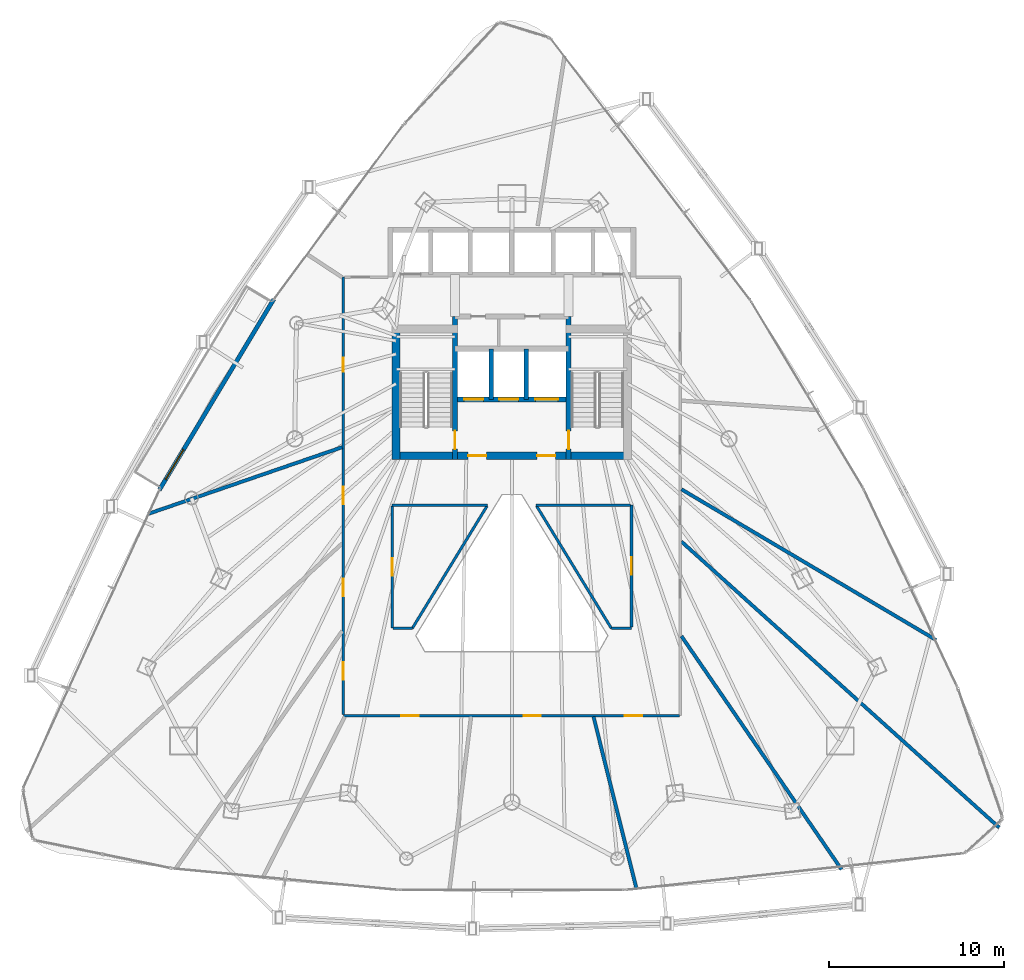
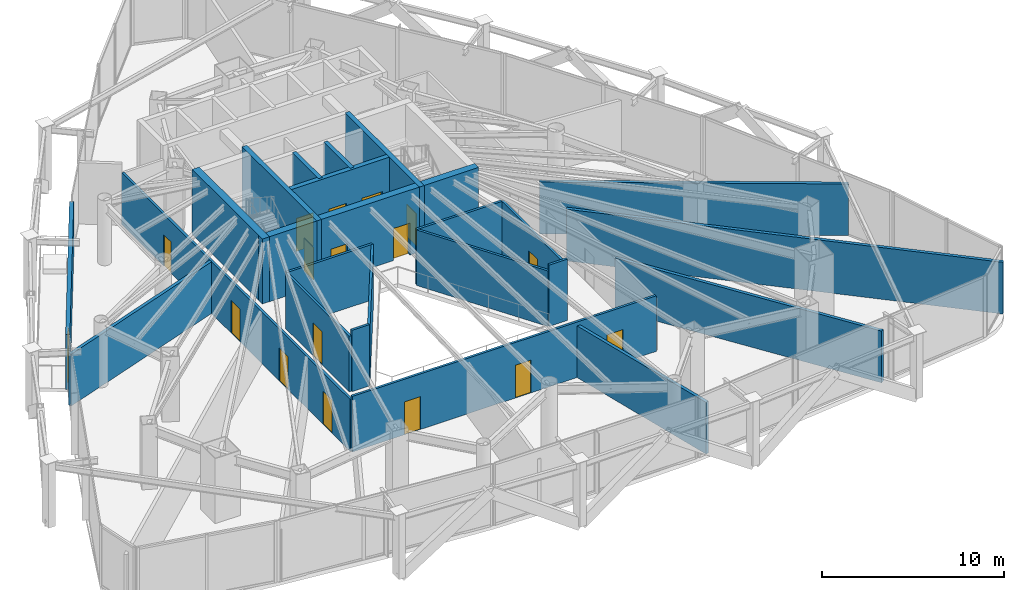
# One storey, part 28 of 33: 23 walls, 17 doors, 17 openings.
"""IFC4 building model written with IfcOpenShell, lengths in metres."""

from ifc_helpers import new_model, si_unit, direction, frame, frame_2d, origin, place, context, subcontext, project, spatial, rectangle, extrude, material, layer, layer_set, type_object, element, fill, save


model = new_model("IFC4")

# Units and contexts
model_context = context("Model", 3, precision=1e-05, world=origin(), true_north=direction((0.0, 1.0)))
body_context = subcontext(model_context, "Body", "Model", "MODEL_VIEW")
ifc_project = project(units=[si_unit("LENGTHUNIT", "METRE"), si_unit("AREAUNIT", "SQUARE_METRE"), si_unit("VOLUMEUNIT", "CUBIC_METRE"), si_unit("PLANEANGLEUNIT", "RADIAN"), si_unit("MASSUNIT", "GRAM", prefix="KILO")], contexts=[model_context])

# Site, building, storey
site_placement = place(None, origin())
site = spatial("IfcSite", under=ifc_project, at=site_placement, CompositionType="ELEMENT")
building_placement = place(site_placement, origin())
building = spatial("IfcBuilding", under=site, at=building_placement, Name="Orvanel Arch Residences", CompositionType="ELEMENT")
storey_placement = place(building_placement, frame((0.0, 0.0, 59.89990234375)))
storey = spatial("IfcBuildingStorey", under=building, at=storey_placement, Name="L16", CompositionType="ELEMENT", Elevation=59.89990234375)

# Wall, opening, door
ifc_material_1 = material(Name="Precast concrete N50 (50 MPa)", Category="concrete")
ifc_layer_1 = layer(ifc_material_1, 0.239990234375)
ifc_layer_set_1 = layer_set([ifc_layer_1], Name="Precast concrete N50 (50 MPa)")
wall_type_1 = type_object("IfcWallType", Name="EW-BAL-240", PredefinedType="SOLIDWALL", material=ifc_layer_set_1)
wall_1_placement = place(storey_placement, frame((19.367919921875, 35.633056640625, 0.0), z_axis=(0.0, 0.0, 1.0), x_axis=(-0.514326536785, -0.857594434193, 0.0)))
wall_1 = element("IfcWall", 1, at=wall_1_placement, inside=storey, type_object=wall_type_1, Name="L16 Balcony Threshold Wall Face 1", PredefinedType="SOLIDWALL", context=body_context, shape_type="SweptSolid", body=[
    extrude(rectangle(XDim=12.73095703125, YDim=0.239990234375, at=frame_2d((6.365478515625, 0.0))), origin(), (0.0, 0.0, 1.0), 3.674072265625),
])
opening_1_placement = place(wall_1_placement, frame((10.033935546875, 0.0, 0.0)))
opening_1 = element("IfcOpeningElement", 2, at=opening_1_placement, cuts=wall_1, Name="Opening DT-200", PredefinedType="OPENING", context=body_context, shape_type="SweptSolid", body=[
    extrude(rectangle(XDim=2.0, YDim=2.199951171875, at=frame_2d((1.0, 1.10009765625))), frame((0.0, 0.1298828125, 0.0), z_axis=(0.0, -1.0, 0.0), x_axis=(1.0, 0.0, 0.0)), (0.0, 0.0, 1.0), 0.260009765625),
])
ifc_material_2 = material(Name="Bronze-anodised aluminium AA6063-T6", Category="aluminium")
door_type_1 = type_object("IfcDoorType", Name="DR-TER-2000", OperationType="NOTDEFINED", PredefinedType="DOOR", material=ifc_material_2)
door_1_placement = place(opening_1_placement, origin())
door_1 = element("IfcDoor", 3, at=door_1_placement, inside=storey, type_object=door_type_1, Name="DR-L16-BAL-F1 L16 Planted Balcony Access Door Face 1", OperationType="SINGLE_SWING_RIGHT", OverallHeight=2.199951171875, OverallWidth=2.0, PredefinedType="DOOR", context=body_context, shape_type="SweptSolid", body=[
    extrude(rectangle(XDim=2.0, YDim=2.199951171875, at=frame_2d((1.0, 1.10009765625))), frame((0.0, 0.02490234375, 0.0), z_axis=(0.0, -1.0, 0.0), x_axis=(1.0, 0.0, 0.0)), (0.0, 0.0, 1.0), 0.050048828125),
])
fill(opening_1, door_1)

# Walls
ifc_material_3 = material(Name="Concrete N50 (50 MPa)", Category="concrete")
ifc_layer_2 = layer(ifc_material_3, 0.25)
ifc_layer_set_2 = layer_set([ifc_layer_2], Name="Concrete N50 (50 MPa)")
wall_type_2 = type_object("IfcWallType", Name="SW-CORE-250", PredefinedType="SHEAR", material=ifc_layer_set_2)
for number, where, z_axis, x_axis, name in (
    (4, (31.824951171875, 29.89990234375, 0.0), (0.0, 0.0, 1.0), (0.0, 1.0, 0.0), "L16 Emergency Lift Inter-Shaft Wall F12"),
    (5, (33.824951171875, 29.89990234375, 0.0), (0.0, 0.0, 1.0), (0.0, 1.0, 0.0), "L16 Emergency Lift Inter-Shaft Wall F2G"),
):
    element("IfcWall", number, at=place(storey_placement, frame(where, z_axis=z_axis, x_axis=x_axis)), inside=storey, type_object=wall_type_2, Name=name, PredefinedType="SHEAR", context=body_context, shape_type="SweptSolid", body=[
        extrude(rectangle(XDim=2.900146484375, YDim=0.25, at=frame_2d((1.4501953125, 0.0))), origin(), (0.0, 0.0, 1.0), 4.35009765625),
    ])

# Wall, opening, door
ifc_material_4 = material(Name="Concrete S80 (80 MPa)", Category="concrete")
ifc_layer_3 = layer(ifc_material_4, 0.300048828125)
ifc_layer_set_3 = layer_set([ifc_layer_3], Name="Concrete S80 (80 MPa)")
wall_type_3 = type_object("IfcWallType", Name="SW-CORE-300", PredefinedType="SHEAR", material=ifc_layer_set_3)
wall_2_placement = place(storey_placement, frame((29.75, 26.449951171875, 0.0), z_axis=(0.0, 0.0, 1.0), x_axis=(0.0, 1.0, 0.0)))
wall_2 = element("IfcWall", 6, at=wall_2_placement, inside=storey, type_object=wall_type_3, Name="L16 West Inner Core Spine Shear Wall", PredefinedType="SHEAR", context=body_context, shape_type="SweptSolid", body=[
    extrude(rectangle(XDim=8.199951171875, YDim=0.300048828125, at=frame_2d((4.10009765625, 0.0))), origin(), (0.0, 0.0, 1.0), 4.35009765625),
])
opening_2_placement = place(wall_2_placement, frame((0.60009765625, 0.0, 0.0)))
opening_2 = element("IfcOpeningElement", 7, at=opening_2_placement, cuts=wall_2, Name="Opening DF-120", PredefinedType="OPENING", context=body_context, shape_type="SweptSolid", body=[
    extrude(rectangle(XDim=1.050048828125, YDim=2.14990234375, at=frame_2d((0.52490234375, 1.074951171875))), frame((0.0, 0.159912109375, 0.0), z_axis=(0.0, -1.0, 0.0), x_axis=(1.0, 0.0, 0.0)), (0.0, 0.0, 1.0), 0.320068359375),
])
ifc_material_5 = material(Name="Galvanised steel fire-resisting door assembly", Category="steel")
door_type_2 = type_object("IfcDoorType", Name="DR-FD120-1050", OperationType="NOTDEFINED", PredefinedType="DOOR", material=ifc_material_5)
door_2_placement = place(opening_2_placement, origin())
door_2 = element("IfcDoor", 8, at=door_2_placement, inside=storey, type_object=door_type_2, Name="DR-L16-ST1 L16 Stair 1 Fire Door", OperationType="SINGLE_SWING_LEFT", OverallHeight=2.14990234375, OverallWidth=1.050048828125, PredefinedType="DOOR", context=body_context, shape_type="SweptSolid", body=[
    extrude(rectangle(XDim=1.050048828125, YDim=2.14990234375, at=frame_2d((0.52490234375, 1.074951171875))), frame((0.0, 0.02490234375, 0.0), z_axis=(0.0, -1.0, 0.0), x_axis=(1.0, 0.0, 0.0)), (0.0, 0.0, 1.0), 0.050048828125),
])
fill(opening_2, door_2)

wall_3_placement = place(storey_placement, frame((36.25, 26.449951171875, 0.0), z_axis=(0.0, 0.0, 1.0), x_axis=(0.0, 1.0, 0.0)))
wall_3 = element("IfcWall", 9, at=wall_3_placement, inside=storey, type_object=wall_type_3, Name="L16 East Inner Core Spine Shear Wall", PredefinedType="SHEAR", context=body_context, shape_type="SweptSolid", body=[
    extrude(rectangle(XDim=8.199951171875, YDim=0.300048828125, at=frame_2d((4.10009765625, 0.0))), origin(), (0.0, 0.0, 1.0), 4.35009765625),
])
opening_3_placement = place(wall_3_placement, frame((0.60009765625, 0.0, 0.0)))
opening_3 = element("IfcOpeningElement", 10, at=opening_3_placement, cuts=wall_3, Name="Opening DF-120", PredefinedType="OPENING", context=body_context, shape_type="SweptSolid", body=[
    extrude(rectangle(XDim=1.050048828125, YDim=2.14990234375, at=frame_2d((0.52490234375, 1.074951171875))), frame((0.0, 0.159912109375, 0.0), z_axis=(0.0, -1.0, 0.0), x_axis=(1.0, 0.0, 0.0)), (0.0, 0.0, 1.0), 0.320068359375),
])
door_3_placement = place(opening_3_placement, origin())
door_3 = element("IfcDoor", 11, at=door_3_placement, inside=storey, type_object=door_type_2, Name="DR-L16-ST2 L16 Stair 2 Fire Door", OperationType="SINGLE_SWING_RIGHT", OverallHeight=2.14990234375, OverallWidth=1.050048828125, PredefinedType="DOOR", context=body_context, shape_type="SweptSolid", body=[
    extrude(rectangle(XDim=1.050048828125, YDim=2.14990234375, at=frame_2d((0.52490234375, 1.074951171875))), frame((0.0, 0.02490234375, 0.0), z_axis=(0.0, -1.0, 0.0), x_axis=(1.0, 0.0, 0.0)), (0.0, 0.0, 1.0), 0.050048828125),
])
fill(opening_3, door_3)

# Wall, openings, doors
wall_4_placement = place(storey_placement, frame((36.25, 29.89990234375, 0.0), z_axis=(0.0, 0.0, 1.0), x_axis=(-1.0, 0.0, 0.0)))
wall_4 = element("IfcWall", 12, at=wall_4_placement, inside=storey, type_object=wall_type_3, Name="L16 Emergency Lift Front Core Shear Wall", PredefinedType="SHEAR", context=body_context, shape_type="SweptSolid", body=[
    extrude(rectangle(XDim=6.5, YDim=0.300048828125, at=frame_2d((3.25, 0.0))), origin(), (0.0, 0.0, 1.0), 4.35009765625),
])
opening_4_placement = place(wall_4_placement, frame((4.875, 0.0, 0.0)))
opening_4 = element("IfcOpeningElement", 13, at=opening_4_placement, cuts=wall_4, Name="Opening LD-110", PredefinedType="OPENING", context=body_context, shape_type="SweptSolid", body=[
    extrude(rectangle(XDim=1.10009765625, YDim=2.199951171875, at=frame_2d((0.550048828125, 1.10009765625))), frame((0.0, 0.159912109375, 0.0), z_axis=(0.0, -1.0, 0.0), x_axis=(1.0, 0.0, 0.0)), (0.0, 0.0, 1.0), 0.320068359375),
])
opening_5_placement = place(wall_4_placement, frame((2.875, 0.0, 0.0)))
opening_5 = element("IfcOpeningElement", 14, at=opening_5_placement, cuts=wall_4, Name="Opening LD-110", PredefinedType="OPENING", context=body_context, shape_type="SweptSolid", body=[
    extrude(rectangle(XDim=1.10009765625, YDim=2.199951171875, at=frame_2d((0.550048828125, 1.10009765625))), frame((0.0, 0.159912109375, 0.0), z_axis=(0.0, -1.0, 0.0), x_axis=(1.0, 0.0, 0.0)), (0.0, 0.0, 1.0), 0.320068359375),
])
opening_6_placement = place(wall_4_placement, frame((0.60009765625, 0.0, 0.0)))
opening_6 = element("IfcOpeningElement", 15, at=opening_6_placement, cuts=wall_4, Name="Opening LD-130", PredefinedType="OPENING", context=body_context, shape_type="SweptSolid", body=[
    extrude(rectangle(XDim=1.300048828125, YDim=2.199951171875, at=frame_2d((0.64990234375, 1.10009765625))), frame((0.0, 0.159912109375, 0.0), z_axis=(0.0, -1.0, 0.0), x_axis=(1.0, 0.0, 0.0)), (0.0, 0.0, 1.0), 0.320068359375),
])
door_type_3 = type_object("IfcDoorType", Name="DR-LFT-1100", OperationType="NOTDEFINED", PredefinedType="DOOR", material=ifc_material_5)
door_4_placement = place(opening_4_placement, origin())
door_4 = element("IfcDoor", 16, at=door_4_placement, inside=storey, type_object=door_type_3, Name="LD-F1-L16 L16 Lift F1 Sliding Landing Door", OperationType="DOUBLE_DOOR_SLIDING", OverallHeight=2.199951171875, OverallWidth=1.10009765625, PredefinedType="DOOR", context=body_context, shape_type="SweptSolid", body=[
    extrude(rectangle(XDim=1.10009765625, YDim=2.199951171875, at=frame_2d((0.550048828125, 1.10009765625))), frame((0.0, 0.02490234375, 0.0), z_axis=(0.0, -1.0, 0.0), x_axis=(1.0, 0.0, 0.0)), (0.0, 0.0, 1.0), 0.050048828125),
])
fill(opening_4, door_4)
door_5_placement = place(opening_5_placement, origin())
door_5 = element("IfcDoor", 17, at=door_5_placement, inside=storey, type_object=door_type_3, Name="LD-F2-L16 L16 Lift F2 Sliding Landing Door", OperationType="DOUBLE_DOOR_SLIDING", OverallHeight=2.199951171875, OverallWidth=1.10009765625, PredefinedType="DOOR", context=body_context, shape_type="SweptSolid", body=[
    extrude(rectangle(XDim=1.10009765625, YDim=2.199951171875, at=frame_2d((0.550048828125, 1.10009765625))), frame((0.0, 0.02490234375, 0.0), z_axis=(0.0, -1.0, 0.0), x_axis=(1.0, 0.0, 0.0)), (0.0, 0.0, 1.0), 0.050048828125),
])
fill(opening_5, door_5)
door_type_4 = type_object("IfcDoorType", Name="DR-LFT-1300", OperationType="NOTDEFINED", PredefinedType="DOOR", material=ifc_material_5)
door_6_placement = place(opening_6_placement, origin())
door_6 = element("IfcDoor", 18, at=door_6_placement, inside=storey, type_object=door_type_4, Name="LD-G1-L16 L16 Lift G1 Sliding Landing Door", OperationType="DOUBLE_DOOR_SLIDING", OverallHeight=2.199951171875, OverallWidth=1.300048828125, PredefinedType="DOOR", context=body_context, shape_type="SweptSolid", body=[
    extrude(rectangle(XDim=1.300048828125, YDim=2.199951171875, at=frame_2d((0.64990234375, 1.10009765625))), frame((0.0, 0.02490234375, 0.0), z_axis=(0.0, -1.0, 0.0), x_axis=(1.0, 0.0, 0.0)), (0.0, 0.0, 1.0), 0.050048828125),
])
fill(opening_6, door_6)

ifc_layer_4 = layer(ifc_material_4, 0.449951171875)
ifc_layer_set_4 = layer_set([ifc_layer_4], Name="Concrete S80 (80 MPa)")
wall_type_4 = type_object("IfcWallType", Name="SW-CORE-450", PredefinedType="SHEAR", material=ifc_layer_set_4)
wall_5_placement = place(storey_placement, frame((26.14990234375, 26.675048828125, 0.0), z_axis=(0.0, 0.0, 1.0), x_axis=(1.0, 0.0, 0.0)))
wall_5 = element("IfcWall", 19, at=wall_5_placement, inside=storey, type_object=wall_type_4, Name="L16 South Core Shear Wall", PredefinedType="SHEAR", context=body_context, shape_type="SweptSolid", body=[
    extrude(rectangle(XDim=13.7001953125, YDim=0.449951171875, at=frame_2d((6.85009765625, 0.0))), origin(), (0.0, 0.0, 1.0), 4.35009765625),
])
opening_7_placement = place(wall_5_placement, frame((4.35009765625, 0.0, 0.0)))
opening_7 = element("IfcOpeningElement", 20, at=opening_7_placement, cuts=wall_5, Name="Opening DF-060", PredefinedType="OPENING", context=body_context, shape_type="SweptSolid", body=[
    extrude(rectangle(XDim=1.050048828125, YDim=2.14990234375, at=frame_2d((0.52490234375, 1.074951171875))), frame((0.0, 0.23486328125, 0.0), z_axis=(0.0, -1.0, 0.0), x_axis=(1.0, 0.0, 0.0)), (0.0, 0.0, 1.0), 0.469970703125),
])
opening_8_placement = place(wall_5_placement, frame((8.300048828125, 0.0, 0.0)))
opening_8 = element("IfcOpeningElement", 21, at=opening_8_placement, cuts=wall_5, Name="Opening DF-060", PredefinedType="OPENING", context=body_context, shape_type="SweptSolid", body=[
    extrude(rectangle(XDim=1.050048828125, YDim=2.14990234375, at=frame_2d((0.52490234375, 1.074951171875))), frame((0.0, 0.23486328125, 0.0), z_axis=(0.0, -1.0, 0.0), x_axis=(1.0, 0.0, 0.0)), (0.0, 0.0, 1.0), 0.469970703125),
])
door_type_5 = type_object("IfcDoorType", Name="DR-FD60-1050", OperationType="NOTDEFINED", PredefinedType="DOOR", material=ifc_material_5)
door_7_placement = place(opening_7_placement, origin())
door_7 = element("IfcDoor", 22, at=door_7_placement, inside=storey, type_object=door_type_5, Name="DR-L16-FFL-W L16 West Smoke Lobby Door", OperationType="SINGLE_SWING_LEFT", OverallHeight=2.14990234375, OverallWidth=1.050048828125, PredefinedType="DOOR", context=body_context, shape_type="SweptSolid", body=[
    extrude(rectangle(XDim=1.050048828125, YDim=2.14990234375, at=frame_2d((0.52490234375, 1.074951171875))), frame((0.0, 0.02490234375, 0.0), z_axis=(0.0, -1.0, 0.0), x_axis=(1.0, 0.0, 0.0)), (0.0, 0.0, 1.0), 0.050048828125),
])
fill(opening_7, door_7)
door_8_placement = place(opening_8_placement, origin())
door_8 = element("IfcDoor", 23, at=door_8_placement, inside=storey, type_object=door_type_5, Name="DR-L16-FFL-E L16 East Smoke Lobby Door", OperationType="SINGLE_SWING_RIGHT", OverallHeight=2.14990234375, OverallWidth=1.050048828125, PredefinedType="DOOR", context=body_context, shape_type="SweptSolid", body=[
    extrude(rectangle(XDim=1.050048828125, YDim=2.14990234375, at=frame_2d((0.52490234375, 1.074951171875))), frame((0.0, 0.02490234375, 0.0), z_axis=(0.0, -1.0, 0.0), x_axis=(1.0, 0.0, 0.0)), (0.0, 0.0, 1.0), 0.050048828125),
])
fill(opening_8, door_8)

# Wall
wall_6_placement = place(storey_placement, frame((26.375, 26.449951171875, 0.0), z_axis=(0.0, 0.0, 1.0), x_axis=(0.0, 1.0, 0.0)))
element("IfcWall", 24, at=wall_6_placement, inside=storey, type_object=wall_type_4, Name="L16 West Stair Shear Wall", PredefinedType="SHEAR", context=body_context, shape_type="SweptSolid", body=[
    extrude(rectangle(XDim=7.699951171875, YDim=0.449951171875, at=frame_2d((3.85009765625, 0.0))), origin(), (0.0, 0.0, 1.0), 4.35009765625),
])

# Wall, openings, doors
ifc_material_6 = material(Name="Fire-rated plasterboard lined steel stud partition", Category="steel")
ifc_layer_5 = layer(ifc_material_6, 0.14990234375)
ifc_layer_set_5 = layer_set([ifc_layer_5], Name="Fire-rated plasterboard lined steel stud partition")
wall_type_5 = type_object("IfcWallType", Name="W-COR-150", PredefinedType="PARTITIONING", material=ifc_layer_set_5)
wall_7_placement = place(storey_placement, frame((42.590087890625, 11.800048828125, 0.0), z_axis=(0.0, 0.0, 1.0), x_axis=(-1.0, 0.0, 0.0)))
wall_7 = element("IfcWall", 25, at=wall_7_placement, inside=storey, type_object=wall_type_5, Name="L16 Community Corridor Wall", PredefinedType="PARTITIONING", context=body_context, shape_type="SweptSolid", body=[
    extrude(rectangle(XDim=19.239990234375, YDim=0.14990234375, at=frame_2d((9.6201171875, 0.0))), origin(), (0.0, 0.0, 1.0), 3.718994140625),
])
opening_9_placement = place(wall_7_placement, frame((14.928955078125, 0.0, 0.0)))
opening_9 = element("IfcOpeningElement", 26, at=opening_9_placement, cuts=wall_7, Name="Opening DP-100", PredefinedType="OPENING", context=body_context, shape_type="SweptSolid", body=[
    extrude(rectangle(XDim=1.0, YDim=2.199951171875, at=frame_2d((0.5, 1.10009765625))), frame((0.0, 0.0849609375, 0.0), z_axis=(0.0, -1.0, 0.0), x_axis=(1.0, 0.0, 0.0)), (0.0, 0.0, 1.0), 0.169921875),
])
opening_10_placement = place(wall_7_placement, frame((7.919921875, 0.0, 0.0)))
opening_10 = element("IfcOpeningElement", 27, at=opening_10_placement, cuts=wall_7, Name="Opening DP-100", PredefinedType="OPENING", context=body_context, shape_type="SweptSolid", body=[
    extrude(rectangle(XDim=1.0, YDim=2.199951171875, at=frame_2d((0.5, 1.10009765625))), frame((0.0, 0.0849609375, 0.0), z_axis=(0.0, -1.0, 0.0), x_axis=(1.0, 0.0, 0.0)), (0.0, 0.0, 1.0), 0.169921875),
])
opening_11_placement = place(wall_7_placement, frame((2.113037109375, 0.0, 0.0)))
opening_11 = element("IfcOpeningElement", 28, at=opening_11_placement, cuts=wall_7, Name="Opening DP-100", PredefinedType="OPENING", context=body_context, shape_type="SweptSolid", body=[
    extrude(rectangle(XDim=1.0, YDim=2.199951171875, at=frame_2d((0.5, 1.10009765625))), frame((0.0, 0.0849609375, 0.0), z_axis=(0.0, -1.0, 0.0), x_axis=(1.0, 0.0, 0.0)), (0.0, 0.0, 1.0), 0.169921875),
])
ifc_material_7 = material(Name="Solid-core European oak veneer fire door leaf", Category="wood")
door_type_6 = type_object("IfcDoorType", Name="DR-POD-1000", OperationType="NOTDEFINED", PredefinedType="DOOR", material=ifc_material_7)
door_9_placement = place(opening_9_placement, origin())
door_9 = element("IfcDoor", 29, at=door_9_placement, inside=storey, type_object=door_type_6, Name="DR-L16-KIT-1 L16 Community Tea Kitchen Door", OperationType="SINGLE_SWING_LEFT", OverallHeight=2.199951171875, OverallWidth=1.0, PredefinedType="DOOR", context=body_context, shape_type="SweptSolid", body=[
    extrude(rectangle(XDim=1.0, YDim=2.199951171875, at=frame_2d((0.5, 1.10009765625))), frame((0.0, 0.02490234375, 0.0), z_axis=(0.0, -1.0, 0.0), x_axis=(1.0, 0.0, 0.0)), (0.0, 0.0, 1.0), 0.050048828125),
])
fill(opening_9, door_9)
door_10_placement = place(opening_10_placement, origin())
door_10 = element("IfcDoor", 30, at=door_10_placement, inside=storey, type_object=door_type_6, Name="DR-L16-STRX8-8 L16 Community Equipment Store 8 Door", OperationType="SINGLE_SWING_LEFT", OverallHeight=2.199951171875, OverallWidth=1.0, PredefinedType="DOOR", context=body_context, shape_type="SweptSolid", body=[
    extrude(rectangle(XDim=1.0, YDim=2.199951171875, at=frame_2d((0.5, 1.10009765625))), frame((0.0, 0.02490234375, 0.0), z_axis=(0.0, -1.0, 0.0), x_axis=(1.0, 0.0, 0.0)), (0.0, 0.0, 1.0), 0.050048828125),
])
fill(opening_10, door_10)
door_11_placement = place(opening_11_placement, origin())
door_11 = element("IfcDoor", 31, at=door_11_placement, inside=storey, type_object=door_type_6, Name="DR-L16-STRX11-11 L16 Community Equipment Store 11 Door", OperationType="SINGLE_SWING_LEFT", OverallHeight=2.199951171875, OverallWidth=1.0, PredefinedType="DOOR", context=body_context, shape_type="SweptSolid", body=[
    extrude(rectangle(XDim=1.0, YDim=2.199951171875, at=frame_2d((0.5, 1.10009765625))), frame((0.0, 0.02490234375, 0.0), z_axis=(0.0, -1.0, 0.0), x_axis=(1.0, 0.0, 0.0)), (0.0, 0.0, 1.0), 0.050048828125),
])
fill(opening_11, door_11)

wall_8_placement = place(storey_placement, frame((23.35009765625, 11.860107421875, 0.0), z_axis=(0.0, 0.0, 1.0), x_axis=(0.0, 1.0, 0.0)))
wall_8 = element("IfcWall", 32, at=wall_8_placement, inside=storey, type_object=wall_type_5, Name="L16 Community Corridor Wall", PredefinedType="PARTITIONING", context=body_context, shape_type="SweptSolid", body=[
    extrude(rectangle(XDim=25.039794921875, YDim=0.14990234375, at=frame_2d((12.52001953125, 0.0))), origin(), (0.0, 0.0, 1.0), 3.463134765625),
])
opening_12_placement = place(wall_8_placement, frame((19.615966796875, 0.0, 0.0)))
opening_12 = element("IfcOpeningElement", 33, at=opening_12_placement, cuts=wall_8, Name="Opening DW-082", PredefinedType="OPENING", context=body_context, shape_type="SweptSolid", body=[
    extrude(rectangle(XDim=0.820068359375, YDim=2.10009765625, at=frame_2d((0.41015625, 1.050048828125))), frame((0.0, 0.0849609375, 0.0), z_axis=(0.0, -1.0, 0.0), x_axis=(1.0, 0.0, 0.0)), (0.0, 0.0, 1.0), 0.169921875),
])
opening_13_placement = place(wall_8_placement, frame((12.049072265625, 0.0, 0.0)))
opening_13 = element("IfcOpeningElement", 34, at=opening_13_placement, cuts=wall_8, Name="Opening DP-100", PredefinedType="OPENING", context=body_context, shape_type="SweptSolid", body=[
    extrude(rectangle(XDim=1.0, YDim=2.199951171875, at=frame_2d((0.5, 1.10009765625))), frame((0.0, 0.0849609375, 0.0), z_axis=(0.0, -1.0, 0.0), x_axis=(1.0, 0.0, 0.0)), (0.0, 0.0, 1.0), 0.169921875),
])
opening_14_placement = place(wall_8_placement, frame((1.985107421875, 0.0, 0.0)))
opening_14 = element("IfcOpeningElement", 35, at=opening_14_placement, cuts=wall_8, Name="Opening DP-100", PredefinedType="OPENING", context=body_context, shape_type="SweptSolid", body=[
    extrude(rectangle(XDim=1.0, YDim=2.199951171875, at=frame_2d((0.5, 1.10009765625))), frame((0.0, 0.0849609375, 0.0), z_axis=(0.0, -1.0, 0.0), x_axis=(1.0, 0.0, 0.0)), (0.0, 0.0, 1.0), 0.169921875),
])
opening_15_placement = place(wall_8_placement, frame((6.77587890625, 0.0, 0.0)))
opening_15 = element("IfcOpeningElement", 36, at=opening_15_placement, cuts=wall_8, Name="Opening DP-100", PredefinedType="OPENING", context=body_context, shape_type="SweptSolid", body=[
    extrude(rectangle(XDim=1.0, YDim=2.199951171875, at=frame_2d((0.5, 1.10009765625))), frame((0.0, 0.0849609375, 0.0), z_axis=(0.0, -1.0, 0.0), x_axis=(1.0, 0.0, 0.0)), (0.0, 0.0, 1.0), 0.169921875),
])
door_12_placement = place(opening_13_placement, origin())
door_12 = element("IfcDoor", 37, at=door_12_placement, inside=storey, type_object=door_type_6, Name="DR-L16-CAR-3 L16 Allied Health Consulting Suite Door", OperationType="SINGLE_SWING_LEFT", OverallHeight=2.199951171875, OverallWidth=1.0, PredefinedType="DOOR", context=body_context, shape_type="SweptSolid", body=[
    extrude(rectangle(XDim=1.0, YDim=2.199951171875, at=frame_2d((0.5, 1.10009765625))), frame((0.0, 0.02490234375, 0.0), z_axis=(0.0, -1.0, 0.0), x_axis=(1.0, 0.0, 0.0)), (0.0, 0.0, 1.0), 0.050048828125),
])
fill(opening_13, door_12)
door_13_placement = place(opening_14_placement, origin())
door_13 = element("IfcDoor", 38, at=door_13_placement, inside=storey, type_object=door_type_6, Name="DR-L16-LNG-6 L16 Resident Quiet Lounge Door", OperationType="SINGLE_SWING_LEFT", OverallHeight=2.199951171875, OverallWidth=1.0, PredefinedType="DOOR", context=body_context, shape_type="SweptSolid", body=[
    extrude(rectangle(XDim=1.0, YDim=2.199951171875, at=frame_2d((0.5, 1.10009765625))), frame((0.0, 0.02490234375, 0.0), z_axis=(0.0, -1.0, 0.0), x_axis=(1.0, 0.0, 0.0)), (0.0, 0.0, 1.0), 0.050048828125),
])
fill(opening_14, door_13)
door_14_placement = place(opening_15_placement, origin())
door_14 = element("IfcDoor", 39, at=door_14_placement, inside=storey, type_object=door_type_6, Name="DR-L16-STRX12-12 L16 Community Equipment Store 12 Door", OperationType="SINGLE_SWING_LEFT", OverallHeight=2.199951171875, OverallWidth=1.0, PredefinedType="DOOR", context=body_context, shape_type="SweptSolid", body=[
    extrude(rectangle(XDim=1.0, YDim=2.199951171875, at=frame_2d((0.5, 1.10009765625))), frame((0.0, 0.02490234375, 0.0), z_axis=(0.0, -1.0, 0.0), x_axis=(1.0, 0.0, 0.0)), (0.0, 0.0, 1.0), 0.050048828125),
])
fill(opening_15, door_14)
door_type_7 = type_object("IfcDoorType", Name="DR-WET-820", OperationType="NOTDEFINED", PredefinedType="DOOR", material=ifc_material_7)
door_15_placement = place(opening_12_placement, origin())
door_15 = element("IfcDoor", 40, at=door_15_placement, inside=storey, type_object=door_type_7, Name="DR-L16-WC-0 L16 Accessible Washrooms Door", OperationType="SINGLE_SWING_LEFT", OverallHeight=2.10009765625, OverallWidth=0.820068359375, PredefinedType="DOOR", context=body_context, shape_type="SweptSolid", body=[
    extrude(rectangle(XDim=0.820068359375, YDim=2.10009765625, at=frame_2d((0.41015625, 1.050048828125))), frame((0.0, 0.02490234375, 0.0), z_axis=(0.0, -1.0, 0.0), x_axis=(1.0, 0.0, 0.0)), (0.0, 0.0, 1.0), 0.050048828125),
])
fill(opening_12, door_15)

# Wall
wall_9_placement = place(storey_placement, frame((31.614013671875, 23.85009765625, 0.0), z_axis=(0.0, 0.0, 1.0), x_axis=(-1.0, 0.0, 0.0)))
element("IfcWall", 41, at=wall_9_placement, inside=storey, type_object=wall_type_5, Name="L16 Community Corridor Wall", PredefinedType="PARTITIONING", context=body_context, shape_type="SweptSolid", body=[
    extrude(rectangle(XDim=5.464111328125, YDim=0.14990234375, at=frame_2d((2.73193359375, 0.0))), origin(), (0.0, 0.0, 1.0), 3.718994140625),
])

# Wall, opening, door
wall_10_placement = place(storey_placement, frame((26.14990234375, 23.7900390625, 0.0), z_axis=(0.0, 0.0, 1.0), x_axis=(0.0, -1.0, 0.0)))
wall_10 = element("IfcWall", 42, at=wall_10_placement, inside=storey, type_object=wall_type_5, Name="L16 Community Corridor Wall", PredefinedType="PARTITIONING", context=body_context, shape_type="SweptSolid", body=[
    extrude(rectangle(XDim=6.989990234375, YDim=0.14990234375, at=frame_2d((3.4951171875, 0.0))), origin(), (0.0, 0.0, 1.0), 3.718994140625),
])
opening_16_placement = place(wall_10_placement, frame((2.9951171875, 0.0, 0.0)))
opening_16 = element("IfcOpeningElement", 43, at=opening_16_placement, cuts=wall_10, Name="Opening DP-100", PredefinedType="OPENING", context=body_context, shape_type="SweptSolid", body=[
    extrude(rectangle(XDim=1.0, YDim=2.199951171875, at=frame_2d((0.5, 1.10009765625))), frame((0.0, 0.0849609375, 0.0), z_axis=(0.0, -1.0, 0.0), x_axis=(1.0, 0.0, 0.0)), (0.0, 0.0, 1.0), 0.169921875),
])
door_16_placement = place(opening_16_placement, origin())
door_16 = element("IfcDoor", 44, at=door_16_placement, inside=storey, type_object=door_type_6, Name="DR-L16-STU-5 L16 Resident Quiet Study Room Door", OperationType="SINGLE_SWING_LEFT", OverallHeight=2.199951171875, OverallWidth=1.0, PredefinedType="DOOR", context=body_context, shape_type="SweptSolid", body=[
    extrude(rectangle(XDim=1.0, YDim=2.199951171875, at=frame_2d((0.5, 1.10009765625))), frame((0.0, 0.02490234375, 0.0), z_axis=(0.0, -1.0, 0.0), x_axis=(1.0, 0.0, 0.0)), (0.0, 0.0, 1.0), 0.050048828125),
])
fill(opening_16, door_16)

# Walls
wall_11_placement = place(storey_placement, frame((26.2099609375, 16.800048828125, 0.0), z_axis=(0.0, 0.0, 1.0), x_axis=(1.0, 0.0, 0.0)))
element("IfcWall", 45, at=wall_11_placement, inside=storey, type_object=wall_type_5, Name="L16 Community Corridor Wall", PredefinedType="PARTITIONING", context=body_context, shape_type="SweptSolid", body=[
    extrude(rectangle(XDim=1.093994140625, YDim=0.14990234375, at=frame_2d((0.546875, 0.0))), origin(), (0.0, 0.0, 1.0), 4.110107421875),
])
wall_12_placement = place(storey_placement, frame((38.696044921875, 16.800048828125, 0.0), z_axis=(0.0, 0.0, 1.0), x_axis=(1.0, 0.0, 0.0)))
element("IfcWall", 46, at=wall_12_placement, inside=storey, type_object=wall_type_5, Name="L16 Community Corridor Wall", PredefinedType="PARTITIONING", context=body_context, shape_type="SweptSolid", body=[
    extrude(rectangle(XDim=1.154052734375, YDim=0.14990234375, at=frame_2d((0.5771484375, 0.0))), origin(), (0.0, 0.0, 1.0), 4.110107421875),
])

# Wall, opening, door
wall_13_placement = place(storey_placement, frame((39.85009765625, 16.860107421875, 0.0), z_axis=(0.0, 0.0, 1.0), x_axis=(0.0, 1.0, 0.0)))
wall_13 = element("IfcWall", 47, at=wall_13_placement, inside=storey, type_object=wall_type_5, Name="L16 Community Corridor Wall", PredefinedType="PARTITIONING", context=body_context, shape_type="SweptSolid", body=[
    extrude(rectangle(XDim=6.989990234375, YDim=0.14990234375, at=frame_2d((3.4951171875, 0.0))), origin(), (0.0, 0.0, 1.0), 3.718994140625),
])
opening_17_placement = place(wall_13_placement, frame((2.9951171875, 0.0, 0.0)))
opening_17 = element("IfcOpeningElement", 48, at=opening_17_placement, cuts=wall_13, Name="Opening DP-100", PredefinedType="OPENING", context=body_context, shape_type="SweptSolid", body=[
    extrude(rectangle(XDim=1.0, YDim=2.199951171875, at=frame_2d((0.5, 1.10009765625))), frame((0.0, 0.0849609375, 0.0), z_axis=(0.0, -1.0, 0.0), x_axis=(1.0, 0.0, 0.0)), (0.0, 0.0, 1.0), 0.169921875),
])
door_17_placement = place(opening_17_placement, origin())
door_17 = element("IfcDoor", 49, at=door_17_placement, inside=storey, type_object=door_type_6, Name="DR-L16-STR-4 L16 Community Equipment Store Door", OperationType="SINGLE_SWING_LEFT", OverallHeight=2.199951171875, OverallWidth=1.0, PredefinedType="DOOR", context=body_context, shape_type="SweptSolid", body=[
    extrude(rectangle(XDim=1.0, YDim=2.199951171875, at=frame_2d((0.5, 1.10009765625))), frame((0.0, 0.02490234375, 0.0), z_axis=(0.0, -1.0, 0.0), x_axis=(1.0, 0.0, 0.0)), (0.0, 0.0, 1.0), 0.050048828125),
])
fill(opening_17, door_17)

# Walls
wall_14_placement = place(storey_placement, frame((39.7900390625, 23.85009765625, 0.0), z_axis=(0.0, 0.0, 1.0), x_axis=(-1.0, 0.0, 0.0)))
element("IfcWall", 50, at=wall_14_placement, inside=storey, type_object=wall_type_5, Name="L16 Community Corridor Wall", PredefinedType="PARTITIONING", context=body_context, shape_type="SweptSolid", body=[
    extrude(rectangle(XDim=5.404052734375, YDim=0.14990234375, at=frame_2d((2.7021484375, 0.0))), origin(), (0.0, 0.0, 1.0), 3.718994140625),
])
for number, where, z_axis, x_axis, name in (
    (51, (27.303955078125, 16.799072265625, 0.0), (0.0, 0.0, 1.0), (0.521511477485, 0.853244266814, 0.0), "L16 Atrium Glazed Wall"),
    (52, (34.423095703125, 23.7900390625, 0.0), (0.0, 0.0, 1.0), (0.521511477485, -0.853244266814, 0.0), "L16 Atrium Glazed Wall"),
):
    element("IfcWall", number, at=place(storey_placement, frame(where, z_axis=z_axis, x_axis=x_axis)), inside=storey, type_object=wall_type_5, Name=name, PredefinedType="PARTITIONING", context=body_context, shape_type="SweptSolid", body=[
        extrude(rectangle(XDim=8.193359375, YDim=0.14990234375, at=frame_2d((4.0966796875, 0.0))), origin(), (0.0, 0.0, 1.0), 3.718994140625),
    ])
ifc_layer_6 = layer(ifc_material_6, 0.199951171875)
ifc_layer_set_6 = layer_set([ifc_layer_6], Name="Fire-rated plasterboard lined steel stud partition")
wall_type_6 = type_object("IfcWallType", Name="W-DEM-200", PredefinedType="PARTITIONING", material=ifc_layer_set_6)
wall_15_placement = place(storey_placement, frame((12.156005859375, 23.340087890625, 0.0), z_axis=(0.0, 0.0, 1.0), x_axis=(0.945748542042, 0.324899515583, 0.0)))
element("IfcWall", 53, at=wall_15_placement, inside=storey, type_object=wall_type_6, Name="L16 Amenity Wall", PredefinedType="PARTITIONING", context=body_context, shape_type="SweptSolid", body=[
    extrude(rectangle(XDim=11.772705078125, YDim=0.199951171875, at=frame_2d((5.88623046875, 0.0))), origin(), (0.0, 0.0, 1.0), 3.463134765625),
])
wall_16_placement = place(storey_placement, frame((51.875, 2.992919921875, 0.0), z_axis=(0.0, 0.0, 1.0), x_axis=(-0.565801310288, 0.824541616461, 0.0)))
element("IfcWall", 54, at=wall_16_placement, inside=storey, type_object=wall_type_6, Name="L16 Amenity Wall", PredefinedType="PARTITIONING", context=body_context, shape_type="SweptSolid", body=[
    extrude(rectangle(XDim=16.1982421875, YDim=0.199951171875, at=frame_2d((8.09912109375, 0.0))), origin(), (0.0, 0.0, 1.0), 3.463134765625),
])
wall_17_placement = place(storey_placement, frame((42.7099609375, 21.761962890625, 0.0), z_axis=(0.0, 0.0, 1.0), x_axis=(0.743303568254, -0.668954262578, 0.0)))
element("IfcWall", 55, at=wall_17_placement, inside=storey, type_object=wall_type_6, Name="L16 Amenity Wall", PredefinedType="PARTITIONING", context=body_context, shape_type="SweptSolid", body=[
    extrude(rectangle(XDim=24.47998046875, YDim=0.199951171875, at=frame_2d((12.239990234375, 0.0))), origin(), (0.0, 0.0, 1.0), 3.463134765625),
])
wall_18_placement = place(storey_placement, frame((40.136962890625, 1.876953125, 0.0), z_axis=(0.0, 0.0, 1.0), x_axis=(-0.241908283315, 0.970299120098, 0.0)))
element("IfcWall", 56, at=wall_18_placement, inside=storey, type_object=wall_type_6, Name="L16 Amenity Wall", PredefinedType="PARTITIONING", context=body_context, shape_type="SweptSolid", body=[
    extrude(rectangle(XDim=10.1650390625, YDim=0.199951171875, at=frame_2d((5.08251953125, 0.0))), origin(), (0.0, 0.0, 1.0), 3.463134765625),
])
wall_19_placement = place(storey_placement, frame((42.7099609375, 24.75390625, 0.0), z_axis=(0.0, 0.0, 1.0), x_axis=(0.860609676404, -0.509265142024, 0.0)))
element("IfcWall", 57, at=wall_19_placement, inside=storey, type_object=wall_type_6, Name="L16 Amenity Wall", PredefinedType="PARTITIONING", context=body_context, shape_type="SweptSolid", body=[
    extrude(rectangle(XDim=16.94384765625, YDim=0.199951171875, at=frame_2d((8.471923828125, 0.0))), origin(), (0.0, 0.0, 1.0), 3.463134765625),
])

save(model, "model.ifc")
